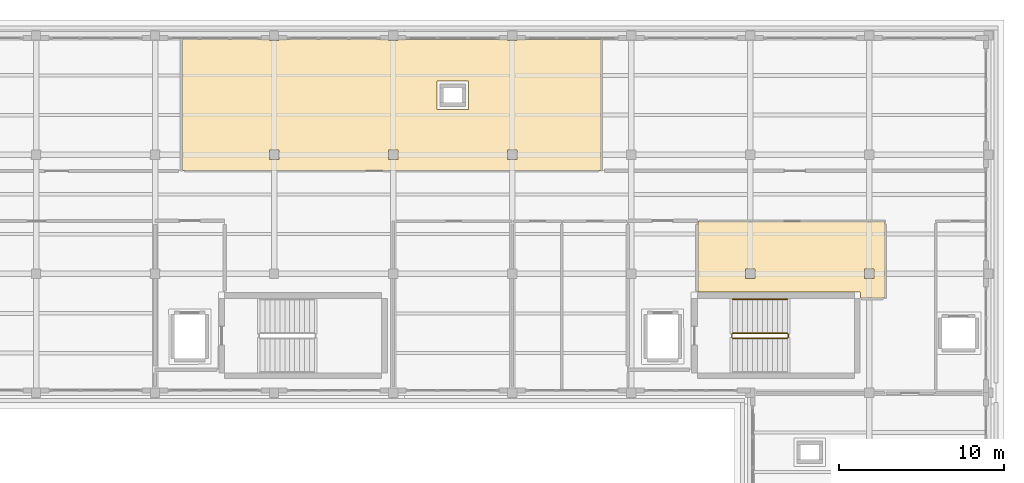
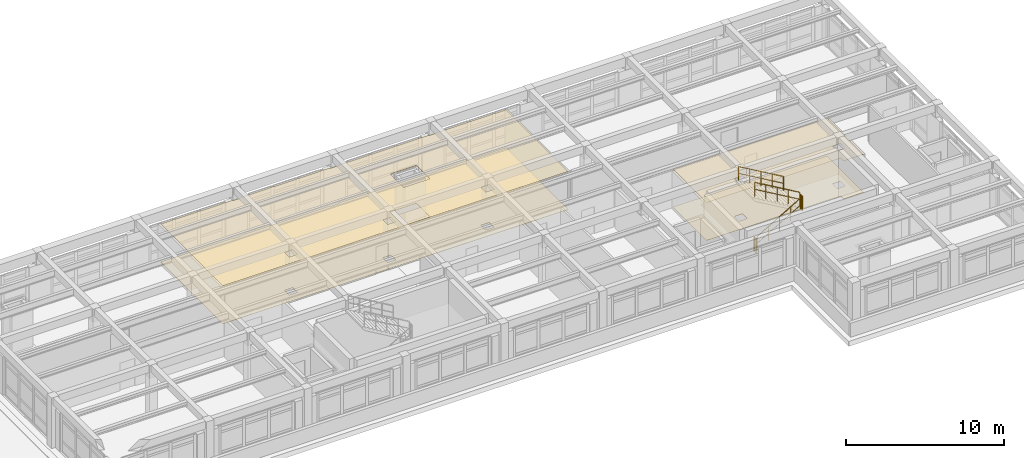
# One storey, part 20 of 21: 5 railings, 4 coverings.
"""IFC4 building model written with IfcOpenShell, lengths in metres."""

from ifc_helpers import new_model, si_unit, direction, frame, origin, origin_2d, place, context, subcontext, project, spatial, polyline, circle, outline, extrude, material, layer, layer_set, type_object, element, save


model = new_model("IFC4")

# Units and contexts
model_context = context("Model", 3, precision=1e-05, world=origin(), true_north=direction((0.0, 1.0)))
body_context = subcontext(model_context, "Body", "Model", "MODEL_VIEW")
ifc_project = project(units=[si_unit("LENGTHUNIT", "METRE"), si_unit("AREAUNIT", "SQUARE_METRE"), si_unit("VOLUMEUNIT", "CUBIC_METRE"), si_unit("PLANEANGLEUNIT", "RADIAN"), si_unit("MASSUNIT", "GRAM", prefix="KILO")], contexts=[model_context])

# Site, building, storey
site_placement = place(None, origin())
site = spatial("IfcSite", under=ifc_project, at=site_placement, CompositionType="ELEMENT")
building_placement = place(site_placement, origin())
building = spatial("IfcBuilding", under=site, at=building_placement, Name="Solenvale Faculty of Natural Sciences", CompositionType="ELEMENT")
storey_placement = place(building_placement, frame((0.0, 0.0, 31.199951171875)))
storey = spatial("IfcBuildingStorey", under=building, at=storey_placement, Name="L07", CompositionType="ELEMENT", Elevation=31.199951171875)

# Coverings
ifc_material_1 = material(Name="Acoustic mineral-timber ceiling", Category="wood")
ifc_layer_1 = layer(ifc_material_1, 0.02490234375)
ifc_layer_set_1 = layer_set([ifc_layer_1], Name="Acoustic mineral-timber ceiling")
covering_type_1 = type_object("IfcCoveringType", Name="COV-CEIL-AC25", PredefinedType="CEILING", material=ifc_layer_set_1)
covering_1_placement = place(storey_placement, frame((0.0, 0.0, 2.93505859375)))
element("IfcCovering", 1, at=covering_1_placement, inside=storey, type_object=covering_type_1, Name="L07 Faculty Staff Office Acoustic Ceiling", PredefinedType="CEILING", context=body_context, shape_type="SweptSolid", body=[
    extrude(outline(polyline([(107.669921875, 114.9599609375), (107.695068359375, 114.947021484375), (107.7109375, 114.89990234375), (108.291015625, 114.89990234375), (108.304931640625, 114.947021484375), (108.330078125, 114.9599609375), (114.8701171875, 114.9599609375), (114.89501953125, 114.947021484375), (114.910888671875, 114.89990234375), (115.490966796875, 114.89990234375), (115.5048828125, 114.947021484375), (115.530029296875, 114.9599609375), (122.070068359375, 114.9599609375), (122.094970703125, 114.947021484375), (122.111083984375, 114.89990234375), (122.69091796875, 114.89990234375), (122.705078125, 114.947021484375), (122.72998046875, 114.9599609375), (127.760986328125, 114.9580078125), (127.780029296875, 114.929931640625), (127.778076171875, 107.05908203125), (127.75, 107.0400390625), (102.452880859375, 107.044921875), (102.43994140625, 107.070068359375), (102.445068359375, 114.947021484375), (102.469970703125, 114.9599609375), (107.669921875, 114.9599609375)]), holes=[polyline([(122.68896484375, 107.699951171875), (122.699951171875, 107.7109375), (122.697021484375, 108.297119140625), (122.10302734375, 108.297119140625), (122.10302734375, 107.702880859375), (122.68896484375, 107.699951171875)]), polyline([(117.867919921875, 112.4599609375), (117.847900390625, 112.449951171875), (117.840087890625, 112.429931640625), (117.840087890625, 110.77001953125), (117.85009765625, 110.748046875), (119.72998046875, 110.739990234375), (119.751953125, 110.75), (119.760009765625, 112.429931640625), (119.75, 112.451904296875), (117.867919921875, 112.4599609375)]), polyline([(115.489013671875, 107.699951171875), (115.5, 107.7109375), (115.4970703125, 108.297119140625), (114.903076171875, 108.297119140625), (114.903076171875, 107.702880859375), (115.489013671875, 107.699951171875)]), polyline([(108.2890625, 107.699951171875), (108.300048828125, 107.7109375), (108.297119140625, 108.297119140625), (107.702880859375, 108.297119140625), (107.702880859375, 107.702880859375), (108.2890625, 107.699951171875)])]), origin(), (0.0, 0.0, 1.0), 0.02490234375),
])
covering_2_placement = place(storey_placement, frame((0.0, 0.0, 2.93505859375)))
element("IfcCovering", 2, at=covering_2_placement, inside=storey, type_object=covering_type_1, Name="L07 Building Electrical and Telecom Closet Acoustic Ceiling", PredefinedType="CEILING", context=body_context, shape_type="SweptSolid", body=[
    extrude(outline(polyline([(144.929931640625, 103.9599609375), (144.950927734375, 103.950927734375), (144.9599609375, 103.929931640625), (144.9599609375, 99.35009765625), (144.94091796875, 99.322021484375), (143.50390625, 99.321044921875), (143.47998046875, 99.346923828125), (143.47998046875, 99.654052734375), (143.450927734375, 99.679931640625), (133.669921875, 99.679931640625), (133.64208984375, 99.698974609375), (133.639892578125, 103.929931640625), (133.658935546875, 103.9580078125), (144.929931640625, 103.9599609375)]), holes=[polyline([(144.2890625, 100.5), (144.300048828125, 100.510986328125), (144.297119140625, 101.096923828125), (143.702880859375, 101.096923828125), (143.702880859375, 100.5029296875), (144.2890625, 100.5)]), polyline([(136.5, 100.510986328125), (136.510986328125, 100.5), (137.096923828125, 100.5029296875), (137.096923828125, 101.096923828125), (136.5029296875, 101.096923828125), (136.5, 100.510986328125)])]), origin(), (0.0, 0.0, 1.0), 0.02490234375),
])
ifc_material_2 = material(Name="Polished slate terrazzo flooring", Category="masonry")
ifc_layer_2 = layer(ifc_material_2, 0.01806640625)
ifc_layer_set_2 = layer_set([ifc_layer_2], Name="Polished slate terrazzo flooring")
covering_type_2 = type_object("IfcCoveringType", Name="COV-FLR-TRZ18", PredefinedType="FLOORING", material=ifc_layer_set_2)
covering_3_placement = place(storey_placement, origin())
element("IfcCovering", 3, at=covering_3_placement, inside=storey, type_object=covering_type_2, Name="L07 Faculty Staff Office Floor Finish", PredefinedType="FLOORING", context=body_context, shape_type="SweptSolid", body=[
    extrude(outline(polyline([(107.669921875, 114.9599609375), (107.695068359375, 114.947021484375), (107.7109375, 114.89990234375), (108.291015625, 114.89990234375), (108.304931640625, 114.947021484375), (108.330078125, 114.9599609375), (114.8701171875, 114.9599609375), (114.89501953125, 114.947021484375), (114.910888671875, 114.89990234375), (115.490966796875, 114.89990234375), (115.5048828125, 114.947021484375), (115.530029296875, 114.9599609375), (122.070068359375, 114.9599609375), (122.094970703125, 114.947021484375), (122.111083984375, 114.89990234375), (122.69091796875, 114.89990234375), (122.705078125, 114.947021484375), (122.72998046875, 114.9599609375), (127.760986328125, 114.9580078125), (127.780029296875, 114.929931640625), (127.778076171875, 107.05908203125), (127.75, 107.0400390625), (102.452880859375, 107.044921875), (102.43994140625, 107.070068359375), (102.445068359375, 114.947021484375), (102.469970703125, 114.9599609375), (107.669921875, 114.9599609375)]), holes=[polyline([(122.68896484375, 107.699951171875), (122.699951171875, 107.7109375), (122.697021484375, 108.297119140625), (122.10302734375, 108.297119140625), (122.10302734375, 107.702880859375), (122.68896484375, 107.699951171875)]), polyline([(117.867919921875, 112.4599609375), (117.847900390625, 112.449951171875), (117.840087890625, 112.429931640625), (117.840087890625, 110.77001953125), (117.85009765625, 110.748046875), (119.72998046875, 110.739990234375), (119.751953125, 110.75), (119.760009765625, 112.429931640625), (119.75, 112.451904296875), (117.867919921875, 112.4599609375)]), polyline([(115.489013671875, 107.699951171875), (115.5, 107.7109375), (115.4970703125, 108.297119140625), (114.903076171875, 108.297119140625), (114.903076171875, 107.702880859375), (115.489013671875, 107.699951171875)]), polyline([(108.2890625, 107.699951171875), (108.300048828125, 107.7109375), (108.297119140625, 108.297119140625), (107.702880859375, 108.297119140625), (107.702880859375, 107.702880859375), (108.2890625, 107.699951171875)])]), origin(), (0.0, 0.0, 1.0), 0.01806640625),
])
covering_4_placement = place(storey_placement, origin())
element("IfcCovering", 4, at=covering_4_placement, inside=storey, type_object=covering_type_2, Name="L07 Building Electrical and Telecom Closet Floor Finish", PredefinedType="FLOORING", context=body_context, shape_type="SweptSolid", body=[
    extrude(outline(polyline([(144.929931640625, 103.9599609375), (144.950927734375, 103.950927734375), (144.9599609375, 103.929931640625), (144.9599609375, 99.35009765625), (144.94091796875, 99.322021484375), (143.50390625, 99.321044921875), (143.47998046875, 99.346923828125), (143.47998046875, 99.654052734375), (143.450927734375, 99.679931640625), (133.669921875, 99.679931640625), (133.64208984375, 99.698974609375), (133.639892578125, 103.929931640625), (133.658935546875, 103.9580078125), (144.929931640625, 103.9599609375)]), holes=[polyline([(144.2890625, 100.5), (144.300048828125, 100.510986328125), (144.297119140625, 101.096923828125), (143.702880859375, 101.096923828125), (143.702880859375, 100.5029296875), (144.2890625, 100.5)]), polyline([(136.5, 100.510986328125), (136.510986328125, 100.5), (137.096923828125, 100.5029296875), (137.096923828125, 101.096923828125), (136.5029296875, 101.096923828125), (136.5, 100.510986328125)])]), origin(), (0.0, 0.0, 1.0), 0.01806640625),
])

# Railings
ifc_material_3 = material(Name="Stainless steel Grade 304", Category="steel")
railing_type_1 = type_object("IfcRailingType", Name="RL-GRD-1100", PredefinedType="GUARDRAIL", material=ifc_material_3)
railing_1_placement = place(storey_placement, frame((135.739990234375, 96.89990234375, 0.175048828125)))
element("IfcRailing", 5, at=railing_1_placement, inside=storey, type_object=railing_type_1, Name="L07 ST-05 stair guard 1", PredefinedType="GUARDRAIL", context=body_context, shape_type="SweptSolid", body=[
    extrude(circle(Radius=0.02392578125, at=origin_2d()), frame((0.0, 0.0, 1.09619140625), z_axis=(0.863776583165, 0.0, 0.503874998761), x_axis=(0.0, 1.0, 0.0)), (0.0, 0.0, 1.0), 3.820556640625),
    extrude(circle(Radius=0.01611328125, at=origin_2d()), frame((0.0, 0.0, 0.56005859375), z_axis=(0.863776583165, 0.0, 0.503874998761), x_axis=(0.0, 1.0, 0.0)), (0.0, 0.0, 1.0), 3.820556640625),
    extrude(circle(Radius=0.02099609375, at=origin_2d()), origin(), (0.0, 0.0, 1.0), 1.072021484375),
    extrude(circle(Radius=0.02099609375, at=origin_2d()), frame((0.824951171875, 0.0, 0.481201171875)), (0.0, 0.0, 1.0), 1.072021484375),
    extrude(circle(Radius=0.02099609375, at=origin_2d()), frame((1.64990234375, 0.0, 0.96240234375)), (0.0, 0.0, 1.0), 1.072021484375),
    extrude(circle(Radius=0.02099609375, at=origin_2d()), frame((2.47509765625, 0.0, 1.44384765625)), (0.0, 0.0, 1.0), 1.072021484375),
    extrude(circle(Radius=0.02099609375, at=origin_2d()), frame((3.300048828125, 0.0, 1.925048828125)), (0.0, 0.0, 1.0), 1.072021484375),
])
railing_2_placement = place(storey_placement, frame((139.090087890625, 96.949951171875, 2.10009765625)))
element("IfcRailing", 6, at=railing_2_placement, inside=storey, type_object=railing_type_1, Name="L07 ST-05 stair guard 2", PredefinedType="GUARDRAIL", context=body_context, shape_type="SweptSolid", body=[
    extrude(circle(Radius=0.02392578125, at=origin_2d()), frame((0.0, 0.0, 1.09619140625), z_axis=(0.0, 1.0, 0.0), x_axis=(-1.0, 0.0, 0.0)), (0.0, 0.0, 1.0), 0.199951171875),
    extrude(circle(Radius=0.01611328125, at=origin_2d()), frame((0.0, 0.0, 0.56005859375), z_axis=(0.0, 1.0, 0.0), x_axis=(-1.0, 0.0, 0.0)), (0.0, 0.0, 1.0), 0.199951171875),
    extrude(circle(Radius=0.02099609375, at=origin_2d()), origin(), (0.0, 0.0, 1.0), 1.072021484375),
    extrude(circle(Radius=0.02099609375, at=origin_2d()), frame((0.0, 0.199951171875, 0.0)), (0.0, 0.0, 1.0), 1.072021484375),
])
railing_3_placement = place(storey_placement, frame((139.0400390625, 97.199951171875, 2.275146484375)))
element("IfcRailing", 7, at=railing_3_placement, inside=storey, type_object=railing_type_1, Name="L07 ST-05 stair guard 3", PredefinedType="GUARDRAIL", context=body_context, shape_type="SweptSolid", body=[
    extrude(circle(Radius=0.02392578125, at=origin_2d()), frame((0.0, 0.0, 1.09619140625), z_axis=(-0.863804395585, 0.0, 0.503827317807), x_axis=(0.0, -1.0, 0.0)), (0.0, 0.0, 1.0), 3.8203125),
    extrude(circle(Radius=0.01611328125, at=origin_2d()), frame((0.0, 0.0, 0.56005859375), z_axis=(-0.863804395585, 0.0, 0.503827317807), x_axis=(0.0, -1.0, 0.0)), (0.0, 0.0, 1.0), 3.8203125),
    extrude(circle(Radius=0.02099609375, at=origin_2d()), origin(), (0.0, 0.0, 1.0), 1.072021484375),
    extrude(circle(Radius=0.02099609375, at=origin_2d()), frame((-0.824951171875, 0.0, 0.481201171875)), (0.0, 0.0, 1.0), 1.072021484375),
    extrude(circle(Radius=0.02099609375, at=origin_2d()), frame((-1.64990234375, 0.0, 0.96240234375)), (0.0, 0.0, 1.0), 1.072021484375),
    extrude(circle(Radius=0.02099609375, at=origin_2d()), frame((-2.47509765625, 0.0, 1.443603515625)), (0.0, 0.0, 1.0), 1.072021484375),
    extrude(circle(Radius=0.02099609375, at=origin_2d()), frame((-3.300048828125, 0.0, 1.9248046875)), (0.0, 0.0, 1.0), 1.072021484375),
])
railing_4_placement = place(storey_placement, frame((135.68994140625, 96.949951171875, 0.0)))
element("IfcRailing", 8, at=railing_4_placement, inside=storey, type_object=railing_type_1, Name="L07 ST-05 stair guard 4", PredefinedType="GUARDRAIL", context=body_context, shape_type="SweptSolid", body=[
    extrude(circle(Radius=0.02392578125, at=origin_2d()), frame((0.0, 0.0, 1.09619140625), z_axis=(0.0, 1.0, 0.0), x_axis=(-1.0, 0.0, 0.0)), (0.0, 0.0, 1.0), 0.199951171875),
    extrude(circle(Radius=0.01611328125, at=origin_2d()), frame((0.0, 0.0, 0.56005859375), z_axis=(0.0, 1.0, 0.0), x_axis=(-1.0, 0.0, 0.0)), (0.0, 0.0, 1.0), 0.199951171875),
    extrude(circle(Radius=0.02099609375, at=origin_2d()), origin(), (0.0, 0.0, 1.0), 1.072021484375),
    extrude(circle(Radius=0.02099609375, at=origin_2d()), frame((0.0, 0.199951171875, 0.0)), (0.0, 0.0, 1.0), 1.072021484375),
])
railing_type_2 = type_object("IfcRailingType", Name="RL-HND-900", PredefinedType="HANDRAIL", material=ifc_material_3)
railing_5_placement = place(storey_placement, frame((139.0400390625, 99.25, 2.275146484375)))
element("IfcRailing", 9, at=railing_5_placement, inside=storey, type_object=railing_type_2, Name="L07 ST-05 stair handrail 2", PredefinedType="HANDRAIL", context=body_context, shape_type="SweptSolid", body=[
    extrude(circle(Radius=0.02392578125, at=origin_2d()), frame((0.0, 0.0, 1.0751953125), z_axis=(-0.863804395585, 0.0, 0.503827317807), x_axis=(0.0, -1.0, 0.0)), (0.0, 0.0, 1.0), 3.8203125),
    extrude(circle(Radius=0.01611328125, at=origin_2d()), frame((0.0, 0.0, 0.549560546875), z_axis=(-0.863804395585, 0.0, 0.503827317807), x_axis=(0.0, -1.0, 0.0)), (0.0, 0.0, 1.0), 3.8203125),
    extrude(circle(Radius=0.02099609375, at=origin_2d()), origin(), (0.0, 0.0, 1.0), 1.051025390625),
    extrude(circle(Radius=0.02099609375, at=origin_2d()), frame((-0.824951171875, 0.0, 0.481201171875)), (0.0, 0.0, 1.0), 1.051025390625),
    extrude(circle(Radius=0.02099609375, at=origin_2d()), frame((-1.64990234375, 0.0, 0.96240234375)), (0.0, 0.0, 1.0), 1.051025390625),
    extrude(circle(Radius=0.02099609375, at=origin_2d()), frame((-2.47509765625, 0.0, 1.443603515625)), (0.0, 0.0, 1.0), 1.051025390625),
    extrude(circle(Radius=0.02099609375, at=origin_2d()), frame((-3.300048828125, 0.0, 1.9248046875)), (0.0, 0.0, 1.0), 1.051025390625),
])

save(model, "model.ifc")
